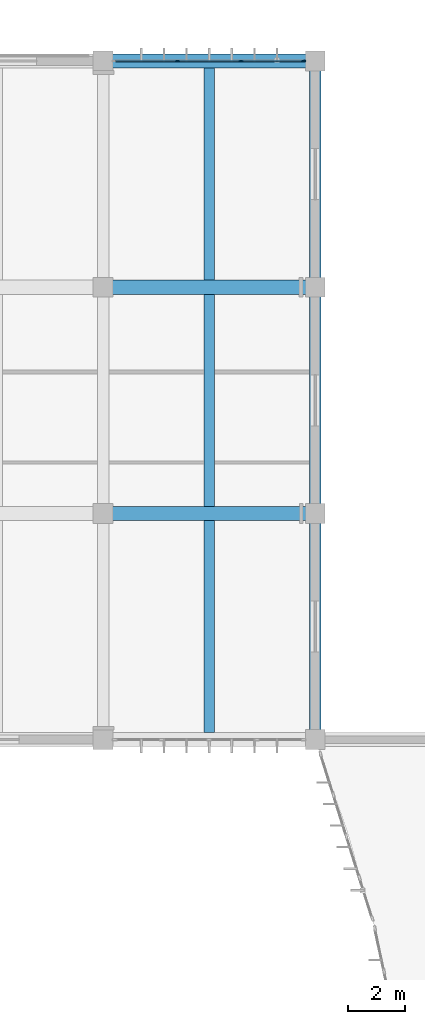
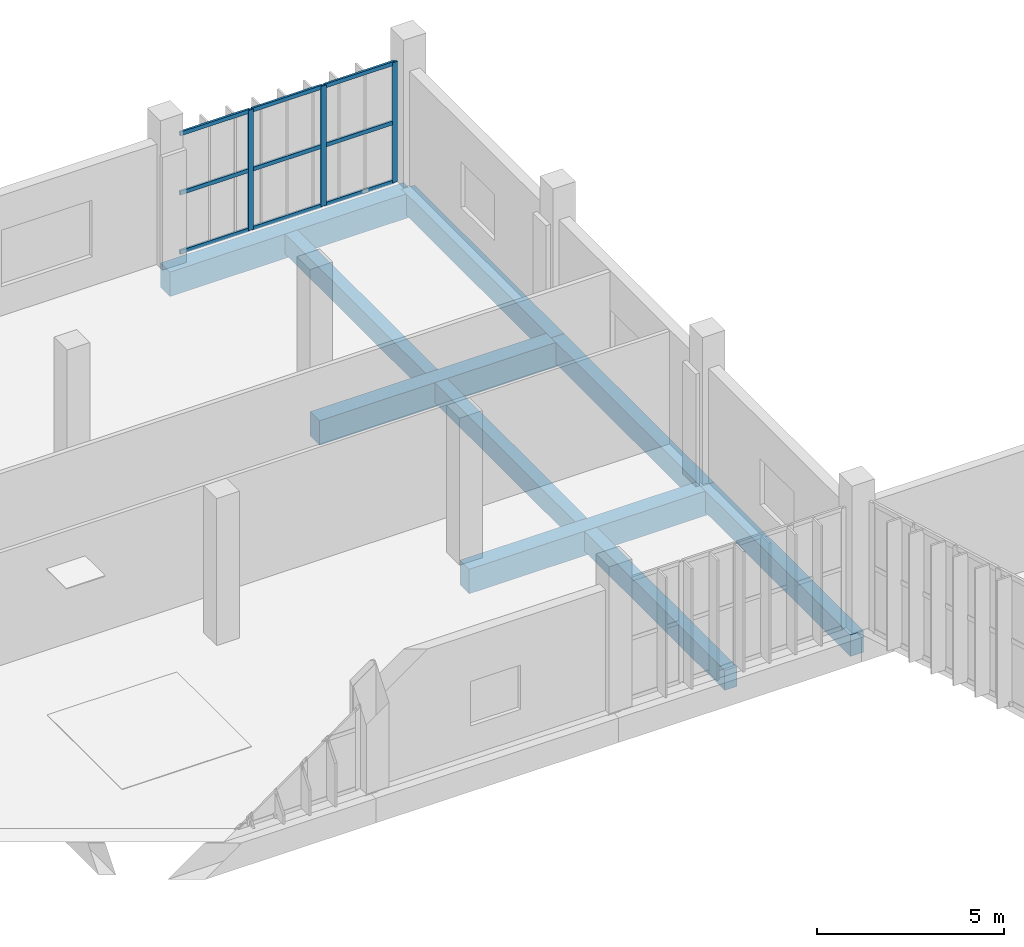
# One storey, part 33 of 72: 12 members, 9 beams, 1 element without a shape of its own.
"""IFC4 building model written with IfcOpenShell, lengths in metres."""

from ifc_helpers import new_model, si_unit, direction, frame, origin, origin_2d, place, context, subcontext, project, spatial, rectangle, extrude, material, material_profile, profile_set, type_object, element, aggregate, save


model = new_model("IFC4")

# Units and contexts
model_context = context("Model", 3, precision=1e-05, world=origin(), true_north=direction((0.0, 1.0)))
body_context = subcontext(model_context, "Body", "Model", "MODEL_VIEW")
ifc_project = project(units=[si_unit("LENGTHUNIT", "METRE"), si_unit("AREAUNIT", "SQUARE_METRE"), si_unit("VOLUMEUNIT", "CUBIC_METRE"), si_unit("PLANEANGLEUNIT", "RADIAN"), si_unit("MASSUNIT", "GRAM", prefix="KILO")], contexts=[model_context])

# Site, building, storey
site_placement = place(None, origin())
site = spatial("IfcSite", under=ifc_project, at=site_placement, CompositionType="ELEMENT")
building_placement = place(site_placement, origin())
building = spatial("IfcBuilding", under=site, at=building_placement, Name="Vourika Railside Aquatics Centre", CompositionType="ELEMENT")
storey_placement = place(building_placement, origin())
storey = spatial("IfcBuildingStorey", under=building, at=storey_placement, Name="L00", CompositionType="ELEMENT", Elevation=0.0)

# Beams
ifc_material_1 = material(Name="Concrete C35/45", Category="concrete")
ifc_material_profile_1 = material_profile(ifc_material_1, rectangle(XDim=0.39990234375, YDim=0.699951171875, at=origin_2d()), Name="RC 400x700")
ifc_profile_set_1 = profile_set([ifc_material_profile_1], Name="Concrete C35/45")
beam_type_1 = type_object("IfcBeamType", Name="BM-GIRD-400x700", PredefinedType="BEAM", material=ifc_profile_set_1)
for number, where, z_axis, x_axis, name in (
    (1, (133.5, 92.0, -0.669921875), (0.0, 1.0, 0.0), (-1.0, 0.0, 0.0), "Floor Girder GY-L00-314"),
    (2, (133.5, 100.0, -0.669921875), (0.0, 1.0, 0.0), (-1.0, 0.0, 0.0), "Floor Girder GY-L00-315"),
    (3, (133.5, 108.0, -0.669921875), (0.0, 1.0, 0.0), (-1.0, 0.0, 0.0), "Floor Girder GY-L00-316"),
):
    element("IfcBeam", number, at=place(storey_placement, frame(where, z_axis=z_axis, x_axis=x_axis)), inside=storey, type_object=beam_type_1, Name=name, PredefinedType="BEAM", context=body_context, shape_type="SweptSolid", body=[
        extrude(rectangle(XDim=0.39990234375, YDim=0.699951171875, at=origin_2d()), origin(), (0.0, 0.0, 1.0), 8.0),
    ])
ifc_material_profile_2 = material_profile(ifc_material_1, rectangle(XDim=0.3798828125, YDim=0.64990234375, at=origin_2d()), Name="RC 380x650")
ifc_profile_set_2 = profile_set([ifc_material_profile_2], Name="Concrete C35/45")
beam_type_2 = type_object("IfcBeamType", Name="BM-SEC-380x650", PredefinedType="JOIST", material=ifc_profile_set_2)
for number, where, z_axis, x_axis, name in (
    (4, (129.75, 92.25, -0.64501953125), (0.0, 1.0, 0.0), (-1.0, 0.0, 0.0), "Secondary Joist JY-L00-448"),
    (5, (129.75, 100.25, -0.64501953125), (0.0, 1.0, 0.0), (-1.0, 0.0, 0.0), "Secondary Joist JY-L00-463"),
    (6, (129.75, 108.25, -0.64501953125), (0.0, 1.0, 0.0), (-1.0, 0.0, 0.0), "Secondary Joist JY-L00-474"),
):
    element("IfcBeam", number, at=place(storey_placement, frame(where, z_axis=z_axis, x_axis=x_axis)), inside=storey, type_object=beam_type_2, Name=name, PredefinedType="JOIST", context=body_context, shape_type="SweptSolid", body=[
        extrude(rectangle(XDim=0.3798828125, YDim=0.64990234375, at=origin_2d()), origin(), (0.0, 0.0, 1.0), 7.5),
    ])
ifc_material_2 = material(Name="Concrete C40/50", Category="concrete")
ifc_material_profile_3 = material_profile(ifc_material_2, rectangle(XDim=0.5, YDim=0.800048828125, at=origin_2d()), Name="RC 500x800")
ifc_profile_set_3 = profile_set([ifc_material_profile_3], Name="Concrete C40/50")
beam_type_3 = type_object("IfcBeamType", Name="BM-TIE-500x800", PredefinedType="BEAM", material=ifc_profile_set_3)
for number, where, z_axis, x_axis, name in (
    (7, (126.0, 100.0, -0.719970703125), (1.0, 0.0, 0.0), (0.0, 1.0, 0.0), "Floor Beam GX-L00-157"),
    (8, (126.0, 108.0, -0.719970703125), (1.0, 0.0, 0.0), (0.0, 1.0, 0.0), "Floor Beam GX-L00-172"),
    (9, (126.0, 116.0, -0.719970703125), (1.0, 0.0, 0.0), (0.0, 1.0, 0.0), "Floor Beam GX-L00-187"),
):
    element("IfcBeam", number, at=place(storey_placement, frame(where, z_axis=z_axis, x_axis=x_axis)), inside=storey, type_object=beam_type_3, Name=name, PredefinedType="BEAM", context=body_context, shape_type="SweptSolid", body=[
        extrude(rectangle(XDim=0.5, YDim=0.800048828125, at=origin_2d()), origin(), (0.0, 0.0, 1.0), 7.5),
    ])

# Curtain wall, members
ifc_material_3 = material(Name="Anodized thermally broken aluminium", Category="aluminium")
curtain_wall_type = type_object("IfcCurtainWallType", Name="CW-FIT0", PredefinedType="NOTDEFINED", material=ifc_material_3)
curtain_wall_placement = place(storey_placement, origin())
curtain_wall = element("IfcCurtainWall", 10, at=curtain_wall_placement, inside=storey, type_object=curtain_wall_type, Name="North Boulevard Curtain Wall L00-15", PredefinedType="NOTDEFINED")
ifc_material_4 = material(Name="Anodized aluminium mullion", Category="aluminium")
ifc_material_profile_4 = material_profile(ifc_material_4, rectangle(XDim=0.06494140625, YDim=0.1640625, at=origin_2d()), Name="ALU-M 65x164")
ifc_profile_set_4 = profile_set([ifc_material_profile_4], Name="Anodized aluminium mullion")
member_type_1 = type_object("IfcMemberType", Name="CWM-FIT0", PredefinedType="MULLION", material=ifc_profile_set_4)
member_1_placement = place(storey_placement, frame((133.08740234375, 116.0, 0.0), z_axis=(0.0, 0.0, 1.0), x_axis=(0.0, -1.0, 0.0)))
member_1 = element("IfcMember", 11, at=member_1_placement, type_object=member_type_1, Name="CW14 mullion 1", PredefinedType="MULLION", context=body_context, shape_type="SweptSolid", body=[
    extrude(rectangle(XDim=0.06494140625, YDim=0.1640625, at=origin_2d()), origin(), (0.0, 0.0, 1.0), 3.929931640625),
])
member_2_placement = place(storey_placement, frame((130.873291015625, 116.0, 0.0), z_axis=(0.0, 0.0, 1.0), x_axis=(0.0, -1.0, 0.0)))
member_2 = element("IfcMember", 12, at=member_2_placement, type_object=member_type_1, Name="CW14 mullion 2", PredefinedType="MULLION", context=body_context, shape_type="SweptSolid", body=[
    extrude(rectangle(XDim=0.06494140625, YDim=0.1640625, at=origin_2d()), origin(), (0.0, 0.0, 1.0), 3.929931640625),
])
member_3_placement = place(storey_placement, frame((128.626708984375, 116.0, 0.0), z_axis=(0.0, 0.0, 1.0), x_axis=(0.0, -1.0, 0.0)))
member_3 = element("IfcMember", 13, at=member_3_placement, type_object=member_type_1, Name="CW14 mullion 3", PredefinedType="MULLION", context=body_context, shape_type="SweptSolid", body=[
    extrude(rectangle(XDim=0.06494140625, YDim=0.1640625, at=origin_2d()), origin(), (0.0, 0.0, 1.0), 3.929931640625),
])
ifc_material_5 = material(Name="Anodized aluminium transom", Category="aluminium")
ifc_material_profile_5 = material_profile(ifc_material_5, rectangle(XDim=0.06494140625, YDim=0.1279296875, at=origin_2d()), Name="ALU-T 65x128")
ifc_profile_set_5 = profile_set([ifc_material_profile_5], Name="Anodized aluminium transom")
member_type_2 = type_object("IfcMemberType", Name="CWT-FIT0", PredefinedType="USERDEFINED", material=ifc_profile_set_5)
member_4_placement = place(storey_placement, frame((133.054931640625, 116.0, 0.032470703125), z_axis=(-1.0, 0.0, 0.0), x_axis=(0.0, -1.0, 0.0)))
member_4 = element("IfcMember", 14, at=member_4_placement, type_object=member_type_2, Name="CW14 transom 1.1", ObjectType="TRANSOM", PredefinedType="USERDEFINED", context=body_context, shape_type="SweptSolid", body=[
    extrude(rectangle(XDim=0.06494140625, YDim=0.1279296875, at=origin_2d()), origin(), (0.0, 0.0, 1.0), 2.149169921875),
])
member_5_placement = place(storey_placement, frame((133.054931640625, 116.0, 1.965087890625), z_axis=(-1.0, 0.0, 0.0), x_axis=(0.0, -1.0, 0.0)))
member_5 = element("IfcMember", 15, at=member_5_placement, type_object=member_type_2, Name="CW14 transom 1.2", ObjectType="TRANSOM", PredefinedType="USERDEFINED", context=body_context, shape_type="SweptSolid", body=[
    extrude(rectangle(XDim=0.06494140625, YDim=0.1279296875, at=origin_2d()), origin(), (0.0, 0.0, 1.0), 2.149169921875),
])
member_6_placement = place(storey_placement, frame((133.054931640625, 116.0, 3.8974609375), z_axis=(-1.0, 0.0, 0.0), x_axis=(0.0, -1.0, 0.0)))
member_6 = element("IfcMember", 16, at=member_6_placement, type_object=member_type_2, Name="CW14 transom 1.3", ObjectType="TRANSOM", PredefinedType="USERDEFINED", context=body_context, shape_type="SweptSolid", body=[
    extrude(rectangle(XDim=0.06494140625, YDim=0.1279296875, at=origin_2d()), origin(), (0.0, 0.0, 1.0), 2.149169921875),
])
member_7_placement = place(storey_placement, frame((130.8408203125, 116.0, 0.032470703125), z_axis=(-1.0, 0.0, 0.0), x_axis=(0.0, -1.0, 0.0)))
member_7 = element("IfcMember", 17, at=member_7_placement, type_object=member_type_2, Name="CW14 transom 2.1", ObjectType="TRANSOM", PredefinedType="USERDEFINED", context=body_context, shape_type="SweptSolid", body=[
    extrude(rectangle(XDim=0.06494140625, YDim=0.1279296875, at=origin_2d()), origin(), (0.0, 0.0, 1.0), 2.181640625),
])
member_8_placement = place(storey_placement, frame((130.8408203125, 116.0, 1.965087890625), z_axis=(-1.0, 0.0, 0.0), x_axis=(0.0, -1.0, 0.0)))
member_8 = element("IfcMember", 18, at=member_8_placement, type_object=member_type_2, Name="CW14 transom 2.2", ObjectType="TRANSOM", PredefinedType="USERDEFINED", context=body_context, shape_type="SweptSolid", body=[
    extrude(rectangle(XDim=0.06494140625, YDim=0.1279296875, at=origin_2d()), origin(), (0.0, 0.0, 1.0), 2.181640625),
])
member_9_placement = place(storey_placement, frame((130.8408203125, 116.0, 3.8974609375), z_axis=(-1.0, 0.0, 0.0), x_axis=(0.0, -1.0, 0.0)))
member_9 = element("IfcMember", 19, at=member_9_placement, type_object=member_type_2, Name="CW14 transom 2.3", ObjectType="TRANSOM", PredefinedType="USERDEFINED", context=body_context, shape_type="SweptSolid", body=[
    extrude(rectangle(XDim=0.06494140625, YDim=0.1279296875, at=origin_2d()), origin(), (0.0, 0.0, 1.0), 2.181640625),
])
member_10_placement = place(storey_placement, frame((128.59423828125, 116.0, 0.032470703125), z_axis=(-1.0, 0.0, 0.0), x_axis=(0.0, -1.0, 0.0)))
member_10 = element("IfcMember", 20, at=member_10_placement, type_object=member_type_2, Name="CW14 transom 3.1", ObjectType="TRANSOM", PredefinedType="USERDEFINED", context=body_context, shape_type="SweptSolid", body=[
    extrude(rectangle(XDim=0.06494140625, YDim=0.1279296875, at=origin_2d()), origin(), (0.0, 0.0, 1.0), 2.149169921875),
])
member_11_placement = place(storey_placement, frame((128.59423828125, 116.0, 1.965087890625), z_axis=(-1.0, 0.0, 0.0), x_axis=(0.0, -1.0, 0.0)))
member_11 = element("IfcMember", 21, at=member_11_placement, type_object=member_type_2, Name="CW14 transom 3.2", ObjectType="TRANSOM", PredefinedType="USERDEFINED", context=body_context, shape_type="SweptSolid", body=[
    extrude(rectangle(XDim=0.06494140625, YDim=0.1279296875, at=origin_2d()), origin(), (0.0, 0.0, 1.0), 2.149169921875),
])
member_12_placement = place(storey_placement, frame((128.59423828125, 116.0, 3.8974609375), z_axis=(-1.0, 0.0, 0.0), x_axis=(0.0, -1.0, 0.0)))
member_12 = element("IfcMember", 22, at=member_12_placement, type_object=member_type_2, Name="CW14 transom 3.3", ObjectType="TRANSOM", PredefinedType="USERDEFINED", context=body_context, shape_type="SweptSolid", body=[
    extrude(rectangle(XDim=0.06494140625, YDim=0.1279296875, at=origin_2d()), origin(), (0.0, 0.0, 1.0), 2.149169921875),
])
aggregate(curtain_wall, [member_1, member_2, member_3, member_4, member_5, member_6, member_7, member_8, member_9, member_10, member_11, member_12])

save(model, "model.ifc")
